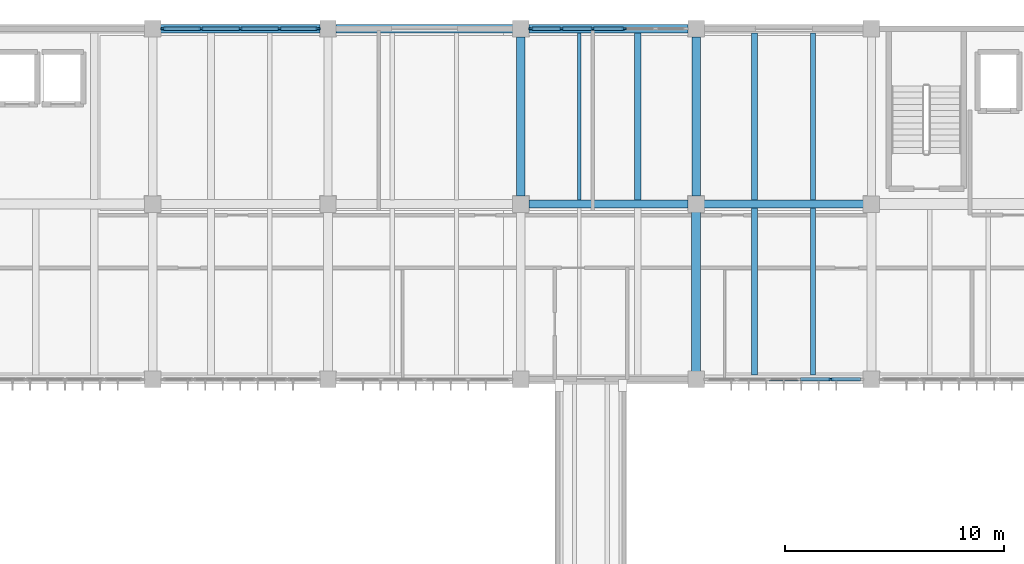
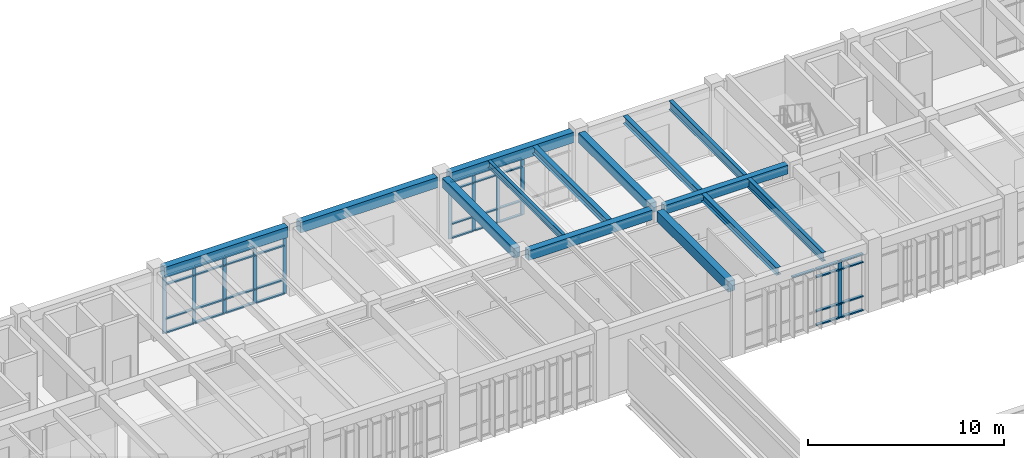
# One storey, part 23 of 79: 47 members, 14 beams, 3 elements without a shape of their own.
"""IFC4 building model written with IfcOpenShell, lengths in metres."""

from ifc_helpers import new_model, si_unit, direction, frame, origin, origin_2d, place, context, subcontext, project, spatial, rectangle, i_section, extrude, material, material_profile, profile_set, type_object, element, aggregate, save


model = new_model("IFC4")

# Units and contexts
model_context = context("Model", 3, precision=1e-05, world=origin(), true_north=direction((0.0, 1.0)))
body_context = subcontext(model_context, "Body", "Model", "MODEL_VIEW")
ifc_project = project(units=[si_unit("LENGTHUNIT", "METRE"), si_unit("AREAUNIT", "SQUARE_METRE"), si_unit("VOLUMEUNIT", "CUBIC_METRE"), si_unit("PLANEANGLEUNIT", "RADIAN"), si_unit("MASSUNIT", "GRAM", prefix="KILO")], contexts=[model_context])

# Site, building, storey
site_placement = place(None, origin())
site = spatial("IfcSite", under=ifc_project, at=site_placement, CompositionType="ELEMENT")
building_placement = place(site_placement, origin())
building = spatial("IfcBuilding", under=site, at=building_placement, Name="Tlaxcora Railside Police Headquarters", CompositionType="ELEMENT")
storey_placement = place(building_placement, frame((0.0, 0.0, 9.0)))
storey = spatial("IfcBuildingStorey", under=building, at=storey_placement, Name="L02", CompositionType="ELEMENT", Elevation=9.0)

# Curtain wall, member
ifc_material_1 = material(Name="Thermally broken low-E insulated glazing", Category="glass")
curtain_wall_type_1 = type_object("IfcCurtainWallType", Name="Unitised Curtain Wall Assembly CW-23", PredefinedType="NOTDEFINED", material=ifc_material_1)
curtain_wall_1_placement = place(storey_placement, origin())
curtain_wall_1 = element("IfcCurtainWall", 1, at=curtain_wall_1_placement, inside=storey, type_object=curtain_wall_type_1, Name="V5 L02 curtain wall 56", PredefinedType="NOTDEFINED")
ifc_material_2 = material(Name="Anodised aluminium framing", Category="aluminium")
ifc_material_profile_1 = material_profile(ifc_material_2, rectangle(XDim=0.080078125, YDim=0.219970703125, at=origin_2d()), Name="AL80X220")
ifc_profile_set_1 = profile_set([ifc_material_profile_1], Name="Anodised aluminium framing")
member_type_1 = type_object("IfcMemberType", Name="Curtain Wall Mullion CW-31", PredefinedType="MULLION", material=ifc_profile_set_1)
member_1_placement = place(storey_placement, frame((68.14501953125, 76.800048828125, 0.0), z_axis=(0.0, 0.0, 1.0), x_axis=(0.0, 1.0, 0.0)))
member_1 = element("IfcMember", 2, at=member_1_placement, type_object=member_type_1, Name="CW mullion 5", PredefinedType="MULLION", context=body_context, shape_type="SweptSolid", body=[
    extrude(rectangle(XDim=0.080078125, YDim=0.219970703125, at=origin_2d()), origin(), (0.0, 0.0, 1.0), 3.550048828125),
])

# Curtain wall, members
curtain_wall_type_2 = type_object("IfcCurtainWallType", Name="Unitised Curtain Wall Assembly CW-15", PredefinedType="NOTDEFINED", material=ifc_material_1)
curtain_wall_2_placement = place(storey_placement, origin())
curtain_wall_2 = element("IfcCurtainWall", 3, at=curtain_wall_2_placement, inside=storey, type_object=curtain_wall_type_2, Name="V5 L02 curtain wall 62", PredefinedType="NOTDEFINED")
ifc_material_profile_2 = material_profile(ifc_material_2, rectangle(XDim=0.074951171875, YDim=0.199951171875, at=origin_2d()), Name="AL75X200")
ifc_profile_set_2 = profile_set([ifc_material_profile_2], Name="Anodised aluminium framing")
member_type_2 = type_object("IfcMemberType", Name="Curtain Wall Mullion CW-58", PredefinedType="MULLION", material=ifc_profile_set_2)
member_2_placement = place(storey_placement, frame((58.715087890625, 92.800048828125, 0.0), z_axis=(0.0, 0.0, 1.0), x_axis=(0.0, -1.0, 0.0)))
member_2 = element("IfcMember", 4, at=member_2_placement, type_object=member_type_2, Name="CW mullion 3", PredefinedType="MULLION", context=body_context, shape_type="SweptSolid", body=[
    extrude(rectangle(XDim=0.074951171875, YDim=0.199951171875, at=origin_2d()), origin(), (0.0, 0.0, 1.0), 3.550048828125),
])
member_3_placement = place(storey_placement, frame((57.284912109375, 92.800048828125, 0.0), z_axis=(0.0, 0.0, 1.0), x_axis=(0.0, -1.0, 0.0)))
member_3 = element("IfcMember", 5, at=member_3_placement, type_object=member_type_2, Name="CW mullion 4", PredefinedType="MULLION", context=body_context, shape_type="SweptSolid", body=[
    extrude(rectangle(XDim=0.074951171875, YDim=0.199951171875, at=origin_2d()), origin(), (0.0, 0.0, 1.0), 3.550048828125),
])
member_4_placement = place(storey_placement, frame((55.85498046875, 92.800048828125, 0.0), z_axis=(0.0, 0.0, 1.0), x_axis=(0.0, -1.0, 0.0)))
member_4 = element("IfcMember", 6, at=member_4_placement, type_object=member_type_2, Name="CW mullion 5", PredefinedType="MULLION", context=body_context, shape_type="SweptSolid", body=[
    extrude(rectangle(XDim=0.074951171875, YDim=0.199951171875, at=origin_2d()), origin(), (0.0, 0.0, 1.0), 3.550048828125),
])
member_5_placement = place(storey_placement, frame((54.46240234375, 92.800048828125, 0.0), z_axis=(0.0, 0.0, 1.0), x_axis=(0.0, -1.0, 0.0)))
member_5 = element("IfcMember", 7, at=member_5_placement, type_object=member_type_2, Name="CW mullion 6", PredefinedType="MULLION", context=body_context, shape_type="SweptSolid", body=[
    extrude(rectangle(XDim=0.074951171875, YDim=0.199951171875, at=origin_2d()), origin(), (0.0, 0.0, 1.0), 3.550048828125),
])

curtain_wall_type_3 = type_object("IfcCurtainWallType", Name="Unitised Curtain Wall Assembly CW-83", PredefinedType="NOTDEFINED", material=ifc_material_1)
curtain_wall_3_placement = place(storey_placement, origin())
curtain_wall_3 = element("IfcCurtainWall", 8, at=curtain_wall_3_placement, inside=storey, type_object=curtain_wall_type_3, Name="V5 L02 curtain wall 63", PredefinedType="NOTDEFINED")
ifc_material_profile_3 = material_profile(ifc_material_2, rectangle(XDim=0.080078125, YDim=0.2099609375, at=origin_2d()), Name="AL80X210")
ifc_profile_set_3 = profile_set([ifc_material_profile_3], Name="Anodised aluminium framing")
member_type_3 = type_object("IfcMemberType", Name="Curtain Wall Mullion CW-76", PredefinedType="MULLION", material=ifc_profile_set_3)
member_6_placement = place(storey_placement, frame((44.735107421875, 92.800048828125, 0.0), z_axis=(0.0, 0.0, 1.0), x_axis=(0.0, -1.0, 0.0)))
member_6 = element("IfcMember", 9, at=member_6_placement, type_object=member_type_3, Name="CW mullion 1", PredefinedType="MULLION", context=body_context, shape_type="SweptSolid", body=[
    extrude(rectangle(XDim=0.080078125, YDim=0.2099609375, at=origin_2d()), origin(), (0.0, 0.0, 1.0), 3.550048828125),
])
member_7_placement = place(storey_placement, frame((42.987548828125, 92.800048828125, 0.0), z_axis=(0.0, 0.0, 1.0), x_axis=(0.0, -1.0, 0.0)))
member_7 = element("IfcMember", 10, at=member_7_placement, type_object=member_type_3, Name="CW mullion 2", PredefinedType="MULLION", context=body_context, shape_type="SweptSolid", body=[
    extrude(rectangle(XDim=0.080078125, YDim=0.2099609375, at=origin_2d()), origin(), (0.0, 0.0, 1.0), 3.550048828125),
])
member_8_placement = place(storey_placement, frame((41.199951171875, 92.800048828125, 0.0), z_axis=(0.0, 0.0, 1.0), x_axis=(0.0, -1.0, 0.0)))
member_8 = element("IfcMember", 11, at=member_8_placement, type_object=member_type_3, Name="CW mullion 3", PredefinedType="MULLION", context=body_context, shape_type="SweptSolid", body=[
    extrude(rectangle(XDim=0.080078125, YDim=0.2099609375, at=origin_2d()), origin(), (0.0, 0.0, 1.0), 3.550048828125),
])
member_9_placement = place(storey_placement, frame((39.41259765625, 92.800048828125, 0.0), z_axis=(0.0, 0.0, 1.0), x_axis=(0.0, -1.0, 0.0)))
member_9 = element("IfcMember", 12, at=member_9_placement, type_object=member_type_3, Name="CW mullion 4", PredefinedType="MULLION", context=body_context, shape_type="SweptSolid", body=[
    extrude(rectangle(XDim=0.080078125, YDim=0.2099609375, at=origin_2d()), origin(), (0.0, 0.0, 1.0), 3.550048828125),
])
member_10_placement = place(storey_placement, frame((37.6650390625, 92.800048828125, 0.0), z_axis=(0.0, 0.0, 1.0), x_axis=(0.0, -1.0, 0.0)))
member_10 = element("IfcMember", 13, at=member_10_placement, type_object=member_type_3, Name="CW mullion 5", PredefinedType="MULLION", context=body_context, shape_type="SweptSolid", body=[
    extrude(rectangle(XDim=0.080078125, YDim=0.2099609375, at=origin_2d()), origin(), (0.0, 0.0, 1.0), 3.550048828125),
])

# Member
ifc_material_profile_4 = material_profile(ifc_material_2, rectangle(XDim=0.14990234375, YDim=0.074951171875, at=origin_2d()), Name="AL75X150")
ifc_profile_set_4 = profile_set([ifc_material_profile_4], Name="Anodised aluminium framing")
member_type_4 = type_object("IfcMemberType", Name="Curtain Wall Transom CW-28", PredefinedType="USERDEFINED", material=ifc_profile_set_4)
member_11_placement = place(storey_placement, frame((58.677490234375, 92.800048828125, 0.03759765625), z_axis=(-1.0, 0.0, 0.0), x_axis=(0.0, -1.0, 0.0)))
member_11 = element("IfcMember", 14, at=member_11_placement, type_object=member_type_4, Name="CW transom 3.1", ObjectType="TRANSOM", PredefinedType="USERDEFINED", context=body_context, shape_type="SweptSolid", body=[
    extrude(rectangle(XDim=0.14990234375, YDim=0.074951171875, at=origin_2d()), origin(), (0.0, 0.0, 1.0), 1.35498046875),
])

member_12_placement = place(storey_placement, frame((58.677490234375, 92.800048828125, 0.89990234375), z_axis=(-1.0, 0.0, 0.0), x_axis=(0.0, -1.0, 0.0)))
member_12 = element("IfcMember", 15, at=member_12_placement, type_object=member_type_4, Name="CW transom 3.2", ObjectType="TRANSOM", PredefinedType="USERDEFINED", context=body_context, shape_type="SweptSolid", body=[
    extrude(rectangle(XDim=0.14990234375, YDim=0.074951171875, at=origin_2d()), origin(), (0.0, 0.0, 1.0), 1.35498046875),
])

member_13_placement = place(storey_placement, frame((58.677490234375, 92.800048828125, 3.02001953125), z_axis=(-1.0, 0.0, 0.0), x_axis=(0.0, -1.0, 0.0)))
member_13 = element("IfcMember", 16, at=member_13_placement, type_object=member_type_4, Name="CW transom 3.3", ObjectType="TRANSOM", PredefinedType="USERDEFINED", context=body_context, shape_type="SweptSolid", body=[
    extrude(rectangle(XDim=0.14990234375, YDim=0.074951171875, at=origin_2d()), origin(), (0.0, 0.0, 1.0), 1.35498046875),
])

member_14_placement = place(storey_placement, frame((58.677490234375, 92.800048828125, 3.512451171875), z_axis=(-1.0, 0.0, 0.0), x_axis=(0.0, -1.0, 0.0)))
member_14 = element("IfcMember", 17, at=member_14_placement, type_object=member_type_4, Name="CW transom 3.4", ObjectType="TRANSOM", PredefinedType="USERDEFINED", context=body_context, shape_type="SweptSolid", body=[
    extrude(rectangle(XDim=0.14990234375, YDim=0.074951171875, at=origin_2d()), origin(), (0.0, 0.0, 1.0), 1.35498046875),
])

member_15_placement = place(storey_placement, frame((57.24755859375, 92.800048828125, 0.03759765625), z_axis=(-1.0, 0.0, 0.0), x_axis=(0.0, -1.0, 0.0)))
member_15 = element("IfcMember", 18, at=member_15_placement, type_object=member_type_4, Name="CW transom 4.1", ObjectType="TRANSOM", PredefinedType="USERDEFINED", context=body_context, shape_type="SweptSolid", body=[
    extrude(rectangle(XDim=0.14990234375, YDim=0.074951171875, at=origin_2d()), origin(), (0.0, 0.0, 1.0), 1.35498046875),
])

member_16_placement = place(storey_placement, frame((57.24755859375, 92.800048828125, 0.89990234375), z_axis=(-1.0, 0.0, 0.0), x_axis=(0.0, -1.0, 0.0)))
member_16 = element("IfcMember", 19, at=member_16_placement, type_object=member_type_4, Name="CW transom 4.2", ObjectType="TRANSOM", PredefinedType="USERDEFINED", context=body_context, shape_type="SweptSolid", body=[
    extrude(rectangle(XDim=0.14990234375, YDim=0.074951171875, at=origin_2d()), origin(), (0.0, 0.0, 1.0), 1.35498046875),
])

member_17_placement = place(storey_placement, frame((57.24755859375, 92.800048828125, 3.02001953125), z_axis=(-1.0, 0.0, 0.0), x_axis=(0.0, -1.0, 0.0)))
member_17 = element("IfcMember", 20, at=member_17_placement, type_object=member_type_4, Name="CW transom 4.3", ObjectType="TRANSOM", PredefinedType="USERDEFINED", context=body_context, shape_type="SweptSolid", body=[
    extrude(rectangle(XDim=0.14990234375, YDim=0.074951171875, at=origin_2d()), origin(), (0.0, 0.0, 1.0), 1.35498046875),
])

member_18_placement = place(storey_placement, frame((57.24755859375, 92.800048828125, 3.512451171875), z_axis=(-1.0, 0.0, 0.0), x_axis=(0.0, -1.0, 0.0)))
member_18 = element("IfcMember", 21, at=member_18_placement, type_object=member_type_4, Name="CW transom 4.4", ObjectType="TRANSOM", PredefinedType="USERDEFINED", context=body_context, shape_type="SweptSolid", body=[
    extrude(rectangle(XDim=0.14990234375, YDim=0.074951171875, at=origin_2d()), origin(), (0.0, 0.0, 1.0), 1.35498046875),
])

member_19_placement = place(storey_placement, frame((55.8173828125, 92.800048828125, 0.03759765625), z_axis=(-1.0, 0.0, 0.0), x_axis=(0.0, -1.0, 0.0)))
member_19 = element("IfcMember", 22, at=member_19_placement, type_object=member_type_4, Name="CW transom 5.1", ObjectType="TRANSOM", PredefinedType="USERDEFINED", context=body_context, shape_type="SweptSolid", body=[
    extrude(rectangle(XDim=0.14990234375, YDim=0.074951171875, at=origin_2d()), origin(), (0.0, 0.0, 1.0), 1.3173828125),
])

member_20_placement = place(storey_placement, frame((55.8173828125, 92.800048828125, 0.89990234375), z_axis=(-1.0, 0.0, 0.0), x_axis=(0.0, -1.0, 0.0)))
member_20 = element("IfcMember", 23, at=member_20_placement, type_object=member_type_4, Name="CW transom 5.2", ObjectType="TRANSOM", PredefinedType="USERDEFINED", context=body_context, shape_type="SweptSolid", body=[
    extrude(rectangle(XDim=0.14990234375, YDim=0.074951171875, at=origin_2d()), origin(), (0.0, 0.0, 1.0), 1.3173828125),
])

member_21_placement = place(storey_placement, frame((55.8173828125, 92.800048828125, 3.02001953125), z_axis=(-1.0, 0.0, 0.0), x_axis=(0.0, -1.0, 0.0)))
member_21 = element("IfcMember", 24, at=member_21_placement, type_object=member_type_4, Name="CW transom 5.3", ObjectType="TRANSOM", PredefinedType="USERDEFINED", context=body_context, shape_type="SweptSolid", body=[
    extrude(rectangle(XDim=0.14990234375, YDim=0.074951171875, at=origin_2d()), origin(), (0.0, 0.0, 1.0), 1.3173828125),
])

member_22_placement = place(storey_placement, frame((55.8173828125, 92.800048828125, 3.512451171875), z_axis=(-1.0, 0.0, 0.0), x_axis=(0.0, -1.0, 0.0)))
member_22 = element("IfcMember", 25, at=member_22_placement, type_object=member_type_4, Name="CW transom 5.4", ObjectType="TRANSOM", PredefinedType="USERDEFINED", context=body_context, shape_type="SweptSolid", body=[
    extrude(rectangle(XDim=0.14990234375, YDim=0.074951171875, at=origin_2d()), origin(), (0.0, 0.0, 1.0), 1.3173828125),
])

aggregate(curtain_wall_2, [member_2, member_3, member_4, member_5, member_11, member_12, member_13, member_14, member_15, member_16, member_17, member_18, member_19, member_20, member_21, member_22])

ifc_material_profile_5 = material_profile(ifc_material_2, rectangle(XDim=0.1650390625, YDim=0.080078125, at=origin_2d()), Name="AL80X165")
ifc_profile_set_5 = profile_set([ifc_material_profile_5], Name="Anodised aluminium framing")
member_type_5 = type_object("IfcMemberType", Name="Curtain Wall Transom CW-62", PredefinedType="USERDEFINED", material=ifc_profile_set_5)
member_23_placement = place(storey_placement, frame((65.324951171875, 76.800048828125, 3.510009765625), z_axis=(1.0, 0.0, 0.0), x_axis=(0.0, 1.0, 0.0)))
member_23 = element("IfcMember", 26, at=member_23_placement, type_object=member_type_5, Name="CW transom 3.4", ObjectType="TRANSOM", PredefinedType="USERDEFINED", context=body_context, shape_type="SweptSolid", body=[
    extrude(rectangle(XDim=0.1650390625, YDim=0.080078125, at=origin_2d()), origin(), (0.0, 0.0, 1.0), 1.35009765625),
])

member_24_placement = place(storey_placement, frame((66.7548828125, 76.800048828125, 0.0400390625), z_axis=(1.0, 0.0, 0.0), x_axis=(0.0, 1.0, 0.0)))
member_24 = element("IfcMember", 27, at=member_24_placement, type_object=member_type_5, Name="CW transom 4.1", ObjectType="TRANSOM", PredefinedType="USERDEFINED", context=body_context, shape_type="SweptSolid", body=[
    extrude(rectangle(XDim=0.1650390625, YDim=0.080078125, at=origin_2d()), origin(), (0.0, 0.0, 1.0), 1.35009765625),
])

member_25_placement = place(storey_placement, frame((66.7548828125, 76.800048828125, 0.89990234375), z_axis=(1.0, 0.0, 0.0), x_axis=(0.0, 1.0, 0.0)))
member_25 = element("IfcMember", 28, at=member_25_placement, type_object=member_type_5, Name="CW transom 4.2", ObjectType="TRANSOM", PredefinedType="USERDEFINED", context=body_context, shape_type="SweptSolid", body=[
    extrude(rectangle(XDim=0.1650390625, YDim=0.080078125, at=origin_2d()), origin(), (0.0, 0.0, 1.0), 1.35009765625),
])

member_26_placement = place(storey_placement, frame((66.7548828125, 76.800048828125, 3.02001953125), z_axis=(1.0, 0.0, 0.0), x_axis=(0.0, 1.0, 0.0)))
member_26 = element("IfcMember", 29, at=member_26_placement, type_object=member_type_5, Name="CW transom 4.3", ObjectType="TRANSOM", PredefinedType="USERDEFINED", context=body_context, shape_type="SweptSolid", body=[
    extrude(rectangle(XDim=0.1650390625, YDim=0.080078125, at=origin_2d()), origin(), (0.0, 0.0, 1.0), 1.35009765625),
])

member_27_placement = place(storey_placement, frame((66.7548828125, 76.800048828125, 3.510009765625), z_axis=(1.0, 0.0, 0.0), x_axis=(0.0, 1.0, 0.0)))
member_27 = element("IfcMember", 30, at=member_27_placement, type_object=member_type_5, Name="CW transom 4.4", ObjectType="TRANSOM", PredefinedType="USERDEFINED", context=body_context, shape_type="SweptSolid", body=[
    extrude(rectangle(XDim=0.1650390625, YDim=0.080078125, at=origin_2d()), origin(), (0.0, 0.0, 1.0), 1.35009765625),
])

member_28_placement = place(storey_placement, frame((68.18505859375, 76.800048828125, 0.0400390625), z_axis=(1.0, 0.0, 0.0), x_axis=(0.0, 1.0, 0.0)))
member_28 = element("IfcMember", 31, at=member_28_placement, type_object=member_type_5, Name="CW transom 5.1", ObjectType="TRANSOM", PredefinedType="USERDEFINED", context=body_context, shape_type="SweptSolid", body=[
    extrude(rectangle(XDim=0.1650390625, YDim=0.080078125, at=origin_2d()), origin(), (0.0, 0.0, 1.0), 1.31005859375),
])

member_29_placement = place(storey_placement, frame((68.18505859375, 76.800048828125, 0.89990234375), z_axis=(1.0, 0.0, 0.0), x_axis=(0.0, 1.0, 0.0)))
member_29 = element("IfcMember", 32, at=member_29_placement, type_object=member_type_5, Name="CW transom 5.2", ObjectType="TRANSOM", PredefinedType="USERDEFINED", context=body_context, shape_type="SweptSolid", body=[
    extrude(rectangle(XDim=0.1650390625, YDim=0.080078125, at=origin_2d()), origin(), (0.0, 0.0, 1.0), 1.31005859375),
])

member_30_placement = place(storey_placement, frame((68.18505859375, 76.800048828125, 3.02001953125), z_axis=(1.0, 0.0, 0.0), x_axis=(0.0, 1.0, 0.0)))
member_30 = element("IfcMember", 33, at=member_30_placement, type_object=member_type_5, Name="CW transom 5.3", ObjectType="TRANSOM", PredefinedType="USERDEFINED", context=body_context, shape_type="SweptSolid", body=[
    extrude(rectangle(XDim=0.1650390625, YDim=0.080078125, at=origin_2d()), origin(), (0.0, 0.0, 1.0), 1.31005859375),
])

member_31_placement = place(storey_placement, frame((68.18505859375, 76.800048828125, 3.510009765625), z_axis=(1.0, 0.0, 0.0), x_axis=(0.0, 1.0, 0.0)))
member_31 = element("IfcMember", 34, at=member_31_placement, type_object=member_type_5, Name="CW transom 5.4", ObjectType="TRANSOM", PredefinedType="USERDEFINED", context=body_context, shape_type="SweptSolid", body=[
    extrude(rectangle(XDim=0.1650390625, YDim=0.080078125, at=origin_2d()), origin(), (0.0, 0.0, 1.0), 1.31005859375),
])

aggregate(curtain_wall_1, [member_1, member_23, member_24, member_25, member_26, member_27, member_28, member_29, member_30, member_31])

ifc_material_profile_6 = material_profile(ifc_material_2, rectangle(XDim=0.159912109375, YDim=0.080078125, at=origin_2d()), Name="AL80X160")
ifc_profile_set_6 = profile_set([ifc_material_profile_6], Name="Anodised aluminium framing")
member_type_6 = type_object("IfcMemberType", Name="Curtain Wall Transom CW-82", PredefinedType="USERDEFINED", material=ifc_profile_set_6)
member_32_placement = place(storey_placement, frame((44.695068359375, 92.800048828125, 0.0400390625), z_axis=(-1.0, 0.0, 0.0), x_axis=(0.0, -1.0, 0.0)))
member_32 = element("IfcMember", 35, at=member_32_placement, type_object=member_type_6, Name="CW transom 1.1", ObjectType="TRANSOM", PredefinedType="USERDEFINED", context=body_context, shape_type="SweptSolid", body=[
    extrude(rectangle(XDim=0.159912109375, YDim=0.080078125, at=origin_2d()), origin(), (0.0, 0.0, 1.0), 1.66748046875),
])

member_33_placement = place(storey_placement, frame((44.695068359375, 92.800048828125, 0.89990234375), z_axis=(-1.0, 0.0, 0.0), x_axis=(0.0, -1.0, 0.0)))
member_33 = element("IfcMember", 36, at=member_33_placement, type_object=member_type_6, Name="CW transom 1.2", ObjectType="TRANSOM", PredefinedType="USERDEFINED", context=body_context, shape_type="SweptSolid", body=[
    extrude(rectangle(XDim=0.159912109375, YDim=0.080078125, at=origin_2d()), origin(), (0.0, 0.0, 1.0), 1.66748046875),
])

member_34_placement = place(storey_placement, frame((44.695068359375, 92.800048828125, 3.02001953125), z_axis=(-1.0, 0.0, 0.0), x_axis=(0.0, -1.0, 0.0)))
member_34 = element("IfcMember", 37, at=member_34_placement, type_object=member_type_6, Name="CW transom 1.3", ObjectType="TRANSOM", PredefinedType="USERDEFINED", context=body_context, shape_type="SweptSolid", body=[
    extrude(rectangle(XDim=0.159912109375, YDim=0.080078125, at=origin_2d()), origin(), (0.0, 0.0, 1.0), 1.66748046875),
])

member_35_placement = place(storey_placement, frame((44.695068359375, 92.800048828125, 3.510009765625), z_axis=(-1.0, 0.0, 0.0), x_axis=(0.0, -1.0, 0.0)))
member_35 = element("IfcMember", 38, at=member_35_placement, type_object=member_type_6, Name="CW transom 1.4", ObjectType="TRANSOM", PredefinedType="USERDEFINED", context=body_context, shape_type="SweptSolid", body=[
    extrude(rectangle(XDim=0.159912109375, YDim=0.080078125, at=origin_2d()), origin(), (0.0, 0.0, 1.0), 1.66748046875),
])

member_36_placement = place(storey_placement, frame((42.947509765625, 92.800048828125, 0.0400390625), z_axis=(-1.0, 0.0, 0.0), x_axis=(0.0, -1.0, 0.0)))
member_36 = element("IfcMember", 39, at=member_36_placement, type_object=member_type_6, Name="CW transom 2.1", ObjectType="TRANSOM", PredefinedType="USERDEFINED", context=body_context, shape_type="SweptSolid", body=[
    extrude(rectangle(XDim=0.159912109375, YDim=0.080078125, at=origin_2d()), origin(), (0.0, 0.0, 1.0), 1.70751953125),
])

member_37_placement = place(storey_placement, frame((42.947509765625, 92.800048828125, 0.89990234375), z_axis=(-1.0, 0.0, 0.0), x_axis=(0.0, -1.0, 0.0)))
member_37 = element("IfcMember", 40, at=member_37_placement, type_object=member_type_6, Name="CW transom 2.2", ObjectType="TRANSOM", PredefinedType="USERDEFINED", context=body_context, shape_type="SweptSolid", body=[
    extrude(rectangle(XDim=0.159912109375, YDim=0.080078125, at=origin_2d()), origin(), (0.0, 0.0, 1.0), 1.70751953125),
])

member_38_placement = place(storey_placement, frame((42.947509765625, 92.800048828125, 3.02001953125), z_axis=(-1.0, 0.0, 0.0), x_axis=(0.0, -1.0, 0.0)))
member_38 = element("IfcMember", 41, at=member_38_placement, type_object=member_type_6, Name="CW transom 2.3", ObjectType="TRANSOM", PredefinedType="USERDEFINED", context=body_context, shape_type="SweptSolid", body=[
    extrude(rectangle(XDim=0.159912109375, YDim=0.080078125, at=origin_2d()), origin(), (0.0, 0.0, 1.0), 1.70751953125),
])

member_39_placement = place(storey_placement, frame((42.947509765625, 92.800048828125, 3.510009765625), z_axis=(-1.0, 0.0, 0.0), x_axis=(0.0, -1.0, 0.0)))
member_39 = element("IfcMember", 42, at=member_39_placement, type_object=member_type_6, Name="CW transom 2.4", ObjectType="TRANSOM", PredefinedType="USERDEFINED", context=body_context, shape_type="SweptSolid", body=[
    extrude(rectangle(XDim=0.159912109375, YDim=0.080078125, at=origin_2d()), origin(), (0.0, 0.0, 1.0), 1.70751953125),
])

member_40_placement = place(storey_placement, frame((41.159912109375, 92.800048828125, 0.0400390625), z_axis=(-1.0, 0.0, 0.0), x_axis=(0.0, -1.0, 0.0)))
member_40 = element("IfcMember", 43, at=member_40_placement, type_object=member_type_6, Name="CW transom 3.1", ObjectType="TRANSOM", PredefinedType="USERDEFINED", context=body_context, shape_type="SweptSolid", body=[
    extrude(rectangle(XDim=0.159912109375, YDim=0.080078125, at=origin_2d()), origin(), (0.0, 0.0, 1.0), 1.70751953125),
])

member_41_placement = place(storey_placement, frame((41.159912109375, 92.800048828125, 0.89990234375), z_axis=(-1.0, 0.0, 0.0), x_axis=(0.0, -1.0, 0.0)))
member_41 = element("IfcMember", 44, at=member_41_placement, type_object=member_type_6, Name="CW transom 3.2", ObjectType="TRANSOM", PredefinedType="USERDEFINED", context=body_context, shape_type="SweptSolid", body=[
    extrude(rectangle(XDim=0.159912109375, YDim=0.080078125, at=origin_2d()), origin(), (0.0, 0.0, 1.0), 1.70751953125),
])

member_42_placement = place(storey_placement, frame((41.159912109375, 92.800048828125, 3.02001953125), z_axis=(-1.0, 0.0, 0.0), x_axis=(0.0, -1.0, 0.0)))
member_42 = element("IfcMember", 45, at=member_42_placement, type_object=member_type_6, Name="CW transom 3.3", ObjectType="TRANSOM", PredefinedType="USERDEFINED", context=body_context, shape_type="SweptSolid", body=[
    extrude(rectangle(XDim=0.159912109375, YDim=0.080078125, at=origin_2d()), origin(), (0.0, 0.0, 1.0), 1.70751953125),
])

member_43_placement = place(storey_placement, frame((41.159912109375, 92.800048828125, 3.510009765625), z_axis=(-1.0, 0.0, 0.0), x_axis=(0.0, -1.0, 0.0)))
member_43 = element("IfcMember", 46, at=member_43_placement, type_object=member_type_6, Name="CW transom 3.4", ObjectType="TRANSOM", PredefinedType="USERDEFINED", context=body_context, shape_type="SweptSolid", body=[
    extrude(rectangle(XDim=0.159912109375, YDim=0.080078125, at=origin_2d()), origin(), (0.0, 0.0, 1.0), 1.70751953125),
])

member_44_placement = place(storey_placement, frame((39.37255859375, 92.800048828125, 0.0400390625), z_axis=(-1.0, 0.0, 0.0), x_axis=(0.0, -1.0, 0.0)))
member_44 = element("IfcMember", 47, at=member_44_placement, type_object=member_type_6, Name="CW transom 4.1", ObjectType="TRANSOM", PredefinedType="USERDEFINED", context=body_context, shape_type="SweptSolid", body=[
    extrude(rectangle(XDim=0.159912109375, YDim=0.080078125, at=origin_2d()), origin(), (0.0, 0.0, 1.0), 1.66748046875),
])

member_45_placement = place(storey_placement, frame((39.37255859375, 92.800048828125, 0.89990234375), z_axis=(-1.0, 0.0, 0.0), x_axis=(0.0, -1.0, 0.0)))
member_45 = element("IfcMember", 48, at=member_45_placement, type_object=member_type_6, Name="CW transom 4.2", ObjectType="TRANSOM", PredefinedType="USERDEFINED", context=body_context, shape_type="SweptSolid", body=[
    extrude(rectangle(XDim=0.159912109375, YDim=0.080078125, at=origin_2d()), origin(), (0.0, 0.0, 1.0), 1.66748046875),
])

member_46_placement = place(storey_placement, frame((39.37255859375, 92.800048828125, 3.02001953125), z_axis=(-1.0, 0.0, 0.0), x_axis=(0.0, -1.0, 0.0)))
member_46 = element("IfcMember", 49, at=member_46_placement, type_object=member_type_6, Name="CW transom 4.3", ObjectType="TRANSOM", PredefinedType="USERDEFINED", context=body_context, shape_type="SweptSolid", body=[
    extrude(rectangle(XDim=0.159912109375, YDim=0.080078125, at=origin_2d()), origin(), (0.0, 0.0, 1.0), 1.66748046875),
])

member_47_placement = place(storey_placement, frame((39.37255859375, 92.800048828125, 3.510009765625), z_axis=(-1.0, 0.0, 0.0), x_axis=(0.0, -1.0, 0.0)))
member_47 = element("IfcMember", 50, at=member_47_placement, type_object=member_type_6, Name="CW transom 4.4", ObjectType="TRANSOM", PredefinedType="USERDEFINED", context=body_context, shape_type="SweptSolid", body=[
    extrude(rectangle(XDim=0.159912109375, YDim=0.080078125, at=origin_2d()), origin(), (0.0, 0.0, 1.0), 1.66748046875),
])

aggregate(curtain_wall_3, [member_6, member_7, member_8, member_9, member_10, member_32, member_33, member_34, member_35, member_36, member_37, member_38, member_39, member_40, member_41, member_42, member_43, member_44, member_45, member_46, member_47])

# Beams
ifc_material_3 = material(Name="Concrete C40/50", Category="concrete")
ifc_material_profile_7 = material_profile(ifc_material_3, rectangle(XDim=0.39990234375, YDim=0.64990234375, at=origin_2d()), Name="RC400X650")
ifc_profile_set_7 = profile_set([ifc_material_profile_7], Name="Concrete C40/50")
beam_type_1 = type_object("IfcBeamType", Name="Perimeter Spandrel Beam BM-46", PredefinedType="SPANDREL", material=ifc_profile_set_7)
beam_1_placement = place(storey_placement, frame((37.56494140625, 92.800048828125, 3.89501953125), z_axis=(1.0, 0.0, 0.0), x_axis=(0.0, 1.0, 0.0)))
element("IfcBeam", 51, at=beam_1_placement, inside=storey, type_object=beam_type_1, Name="V5 L02 X-girder Y=92.8", PredefinedType="SPANDREL", context=body_context, shape_type="SweptSolid", body=[
    extrude(rectangle(XDim=0.39990234375, YDim=0.64990234375, at=origin_2d()), origin(), (0.0, 0.0, 1.0), 7.27001953125),
])
beam_2_placement = place(storey_placement, frame((45.56494140625, 92.800048828125, 3.89501953125), z_axis=(1.0, 0.0, 0.0), x_axis=(0.0, 1.0, 0.0)))
element("IfcBeam", 52, at=beam_2_placement, inside=storey, type_object=beam_type_1, Name="V5 L02 X-girder Y=92.8", PredefinedType="SPANDREL", context=body_context, shape_type="SweptSolid", body=[
    extrude(rectangle(XDim=0.39990234375, YDim=0.64990234375, at=origin_2d()), origin(), (0.0, 0.0, 1.0), 8.070068359375),
])
beam_3_placement = place(storey_placement, frame((54.364990234375, 92.800048828125, 3.89501953125), z_axis=(1.0, 0.0, 0.0), x_axis=(0.0, 1.0, 0.0)))
element("IfcBeam", 53, at=beam_3_placement, inside=storey, type_object=beam_type_1, Name="V5 L02 X-girder Y=92.8", PredefinedType="SPANDREL", context=body_context, shape_type="SweptSolid", body=[
    extrude(rectangle(XDim=0.39990234375, YDim=0.64990234375, at=origin_2d()), origin(), (0.0, 0.0, 1.0), 7.27001953125),
])
ifc_material_profile_8 = material_profile(ifc_material_3, rectangle(XDim=0.3798828125, YDim=0.60009765625, at=origin_2d()), Name="RC380X600")
ifc_profile_set_8 = profile_set([ifc_material_profile_8], Name="Concrete C40/50")
beam_type_2 = type_object("IfcBeamType", Name="Primary Frame Girder BM-22", PredefinedType="BEAM", material=ifc_profile_set_8)
for number, where, z_axis, x_axis, name in (
    (54, (54.364990234375, 84.800048828125, 3.919921875), (1.0, 0.0, 0.0), (0.0, 1.0, 0.0), "V5 L02 X-girder Y=84.8"),
    (55, (54.0, 85.1650390625, 3.919921875), (0.0, 1.0, 0.0), (-1.0, 0.0, 0.0), "V5 L02 Y-girder X=54.0"),
    (56, (62.0, 85.1650390625, 3.919921875), (0.0, 1.0, 0.0), (-1.0, 0.0, 0.0), "V5 L02 Y-girder X=62.0"),
):
    element("IfcBeam", number, at=place(storey_placement, frame(where, z_axis=z_axis, x_axis=x_axis)), inside=storey, type_object=beam_type_2, Name=name, PredefinedType="BEAM", context=body_context, shape_type="SweptSolid", body=[
        extrude(rectangle(XDim=0.3798828125, YDim=0.60009765625, at=origin_2d()), origin(), (0.0, 0.0, 1.0), 7.27001953125),
    ])
ifc_material_profile_9 = material_profile(ifc_material_3, rectangle(XDim=0.35009765625, YDim=0.550048828125, at=origin_2d()), Name="RC350X550")
ifc_profile_set_9 = profile_set([ifc_material_profile_9], Name="Concrete C40/50")
beam_type_3 = type_object("IfcBeamType", Name="Primary Frame Girder BM-39", PredefinedType="BEAM", material=ifc_profile_set_9)
beam_4_placement = place(storey_placement, frame((62.364990234375, 84.800048828125, 3.945068359375), z_axis=(1.0, 0.0, 0.0), x_axis=(0.0, 1.0, 0.0)))
element("IfcBeam", 57, at=beam_4_placement, inside=storey, type_object=beam_type_3, Name="V5 L02 X-girder Y=84.8", PredefinedType="BEAM", context=body_context, shape_type="SweptSolid", body=[
    extrude(rectangle(XDim=0.35009765625, YDim=0.550048828125, at=origin_2d()), origin(), (0.0, 0.0, 1.0), 7.27001953125),
])
ifc_material_profile_10 = material_profile(ifc_material_3, rectangle(XDim=0.39990234375, YDim=0.64990234375, at=origin_2d()), Name="RC400X650")
ifc_profile_set_10 = profile_set([ifc_material_profile_10], Name="Concrete C40/50")
beam_type_4 = type_object("IfcBeamType", Name="Primary Frame Girder BM-41", PredefinedType="BEAM", material=ifc_profile_set_10)
beam_5_placement = place(storey_placement, frame((62.0, 77.1650390625, 3.89501953125), z_axis=(0.0, 1.0, 0.0), x_axis=(-1.0, 0.0, 0.0)))
element("IfcBeam", 58, at=beam_5_placement, inside=storey, type_object=beam_type_4, Name="V5 L02 Y-girder X=62.0", PredefinedType="BEAM", context=body_context, shape_type="SweptSolid", body=[
    extrude(rectangle(XDim=0.39990234375, YDim=0.64990234375, at=origin_2d()), origin(), (0.0, 0.0, 1.0), 7.27001953125),
])
ifc_material_4 = material(Name="Steel ASTM A992 Grade 50", Category="steel")
ifc_material_profile_11 = material_profile(ifc_material_4, i_section(OverallWidth=0.280029296875, OverallDepth=0.4619140625, WebThickness=0.0107421875, FlangeThickness=0.017333984375, at=origin_2d()), Name="W18X76")
ifc_profile_set_11 = profile_set([ifc_material_profile_11], Name="Steel ASTM A992 Grade 50")
beam_type_5 = type_object("IfcBeamType", Name="Secondary Floor Joist BM-44", PredefinedType="JOIST", material=ifc_profile_set_11)
beam_6_placement = place(storey_placement, frame((64.666748046875, 76.991943359375, 3.989013671875), z_axis=(0.0, 1.0, 0.0), x_axis=(-1.0, 0.0, 0.0)))
element("IfcBeam", 59, at=beam_6_placement, inside=storey, type_object=beam_type_5, Name="V5 L02 floor joist X=64.67", PredefinedType="JOIST", context=body_context, shape_type="SweptSolid", body=[
    extrude(i_section(OverallWidth=0.280029296875, OverallDepth=0.4619140625, WebThickness=0.0107421875, FlangeThickness=0.017333984375, at=origin_2d()), origin(), (0.0, 0.0, 1.0), 7.64111328125),
])
beam_7_placement = place(storey_placement, frame((59.333251953125, 84.98193359375, 3.989013671875), z_axis=(0.0, 1.0, 0.0), x_axis=(-1.0, 0.0, 0.0)))
element("IfcBeam", 60, at=beam_7_placement, inside=storey, type_object=beam_type_5, Name="V5 L02 floor joist X=59.33", PredefinedType="JOIST", context=body_context, shape_type="SweptSolid", body=[
    extrude(i_section(OverallWidth=0.280029296875, OverallDepth=0.4619140625, WebThickness=0.0107421875, FlangeThickness=0.017333984375, at=origin_2d()), origin(), (0.0, 0.0, 1.0), 7.6259765625),
])
beam_8_placement = place(storey_placement, frame((64.666748046875, 84.967041015625, 3.989013671875), z_axis=(0.0, 1.0, 0.0), x_axis=(-1.0, 0.0, 0.0)))
element("IfcBeam", 61, at=beam_8_placement, inside=storey, type_object=beam_type_5, Name="V5 L02 floor joist X=64.67", PredefinedType="JOIST", context=body_context, shape_type="SweptSolid", body=[
    extrude(i_section(OverallWidth=0.280029296875, OverallDepth=0.4619140625, WebThickness=0.0107421875, FlangeThickness=0.017333984375, at=origin_2d()), origin(), (0.0, 0.0, 1.0), 7.640869140625),
])
ifc_material_profile_12 = material_profile(ifc_material_4, i_section(OverallWidth=0.180908203125, OverallDepth=0.4169921875, WebThickness=0.010009765625, FlangeThickness=0.018310546875, at=origin_2d()), Name="W16X57")
ifc_profile_set_12 = profile_set([ifc_material_profile_12], Name="Steel ASTM A992 Grade 50")
beam_type_6 = type_object("IfcBeamType", Name="Secondary Floor Joist BM-84", PredefinedType="JOIST", material=ifc_profile_set_12)
beam_9_placement = place(storey_placement, frame((56.666748046875, 84.98193359375, 4.011474609375), z_axis=(0.0, 1.0, 0.0), x_axis=(-1.0, 0.0, 0.0)))
element("IfcBeam", 62, at=beam_9_placement, inside=storey, type_object=beam_type_6, Name="V5 L02 floor joist X=56.67", PredefinedType="JOIST", context=body_context, shape_type="SweptSolid", body=[
    extrude(i_section(OverallWidth=0.180908203125, OverallDepth=0.4169921875, WebThickness=0.010009765625, FlangeThickness=0.018310546875, at=origin_2d()), origin(), (0.0, 0.0, 1.0), 7.6259765625),
])
ifc_material_profile_13 = material_profile(ifc_material_4, i_section(OverallWidth=0.214111328125, OverallDepth=0.549072265625, WebThickness=0.0146484375, FlangeThickness=0.023681640625, at=origin_2d()), Name="W21X93")
ifc_profile_set_13 = profile_set([ifc_material_profile_13], Name="Steel ASTM A992 Grade 50")
beam_type_7 = type_object("IfcBeamType", Name="Secondary Floor Joist BM-97", PredefinedType="JOIST", material=ifc_profile_set_13)
beam_10_placement = place(storey_placement, frame((67.333251953125, 76.991943359375, 3.945556640625), z_axis=(0.0, 1.0, 0.0), x_axis=(-1.0, 0.0, 0.0)))
element("IfcBeam", 63, at=beam_10_placement, inside=storey, type_object=beam_type_7, Name="V5 L02 floor joist X=67.33", PredefinedType="JOIST", context=body_context, shape_type="SweptSolid", body=[
    extrude(i_section(OverallWidth=0.214111328125, OverallDepth=0.549072265625, WebThickness=0.0146484375, FlangeThickness=0.023681640625, at=origin_2d()), origin(), (0.0, 0.0, 1.0), 7.64111328125),
])
beam_11_placement = place(storey_placement, frame((67.333251953125, 84.967041015625, 3.945556640625), z_axis=(0.0, 1.0, 0.0), x_axis=(-1.0, 0.0, 0.0)))
element("IfcBeam", 64, at=beam_11_placement, inside=storey, type_object=beam_type_7, Name="V5 L02 floor joist X=67.33", PredefinedType="JOIST", context=body_context, shape_type="SweptSolid", body=[
    extrude(i_section(OverallWidth=0.214111328125, OverallDepth=0.549072265625, WebThickness=0.0146484375, FlangeThickness=0.023681640625, at=origin_2d()), origin(), (0.0, 0.0, 1.0), 7.640869140625),
])

save(model, "model.ifc")
